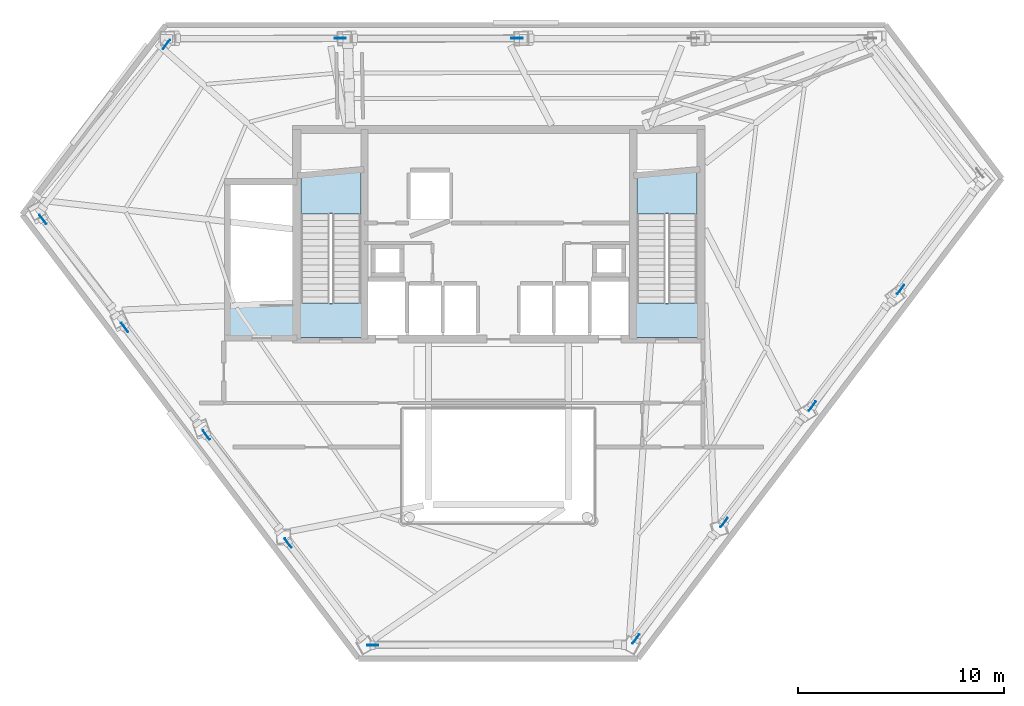
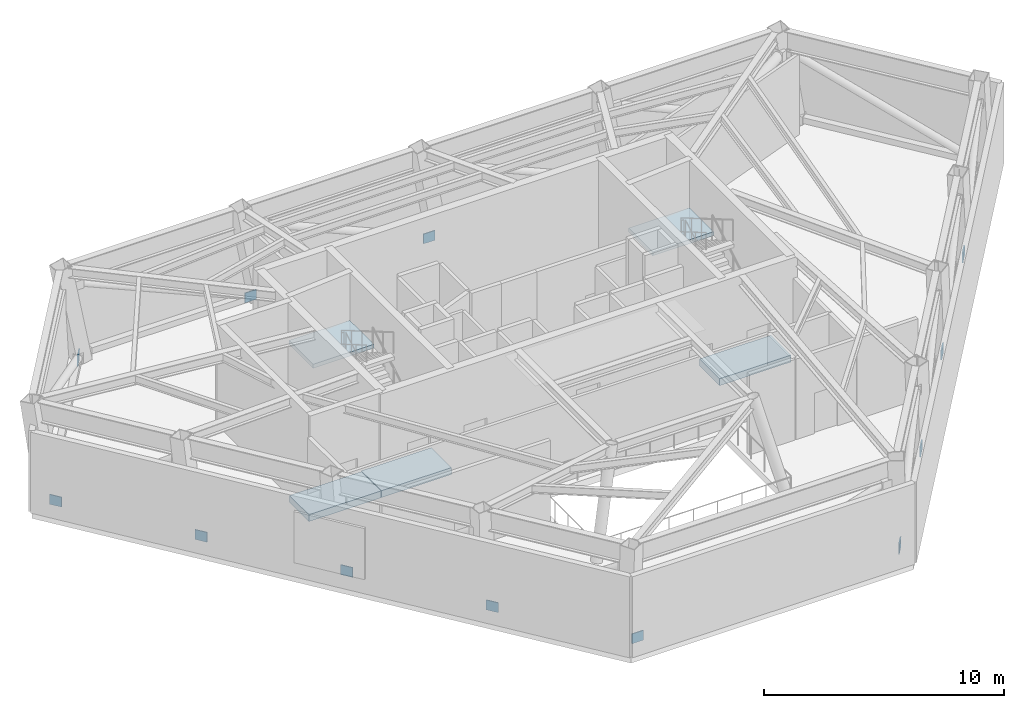
# One storey, part 3 of 10: 12 plates, 5 slabs, 2 elements without a shape of their own.
"""IFC4 building model written with IfcOpenShell, lengths in metres."""

from ifc_helpers import new_model, si_unit, direction, frame, origin, origin_2d, place, context, subcontext, project, spatial, polyline, rectangle, outline, extrude, material, layer, layer_set, type_object, element, aggregate, save


model = new_model("IFC4")

# Units and contexts
model_context = context("Model", 3, precision=1e-05, world=origin(), true_north=direction((0.0, 1.0)))
body_context = subcontext(model_context, "Body", "Model", "MODEL_VIEW")
ifc_project = project(units=[si_unit("LENGTHUNIT", "METRE"), si_unit("AREAUNIT", "SQUARE_METRE"), si_unit("VOLUMEUNIT", "CUBIC_METRE"), si_unit("PLANEANGLEUNIT", "RADIAN"), si_unit("MASSUNIT", "GRAM", prefix="KILO")], contexts=[model_context])

# Site, building, storey
site_placement = place(None, origin())
site = spatial("IfcSite", under=ifc_project, at=site_placement, CompositionType="ELEMENT")
building_placement = place(site_placement, origin())
building = spatial("IfcBuilding", under=site, at=building_placement, Name="Zarrinselat Tower", CompositionType="ELEMENT")
storey_placement = place(building_placement, frame((0.0, 0.0, 194.47998046875)))
storey = spatial("IfcBuildingStorey", under=building, at=storey_placement, Name="L48", CompositionType="ELEMENT", Elevation=194.47998046875)

# Plates
ifc_material_1 = material(Name="Steel S460M", Category="steel")
ifc_layer_1 = layer(ifc_material_1, 0.0400390625)
ifc_layer_set_1 = layer_set([ifc_layer_1], Name="Steel S460M")
plate_type = type_object("IfcPlateType", Name="PLT-GUSSET-40", PredefinedType="USERDEFINED", material=ifc_layer_set_1)
for number, where, z_axis, x_axis, name in (
    (1, (39.304931640625, 47.875244140625, 0.10009765625), (0.0, 0.0, 1.0), (-1.0, 0.0, 0.0), "L48 Belt Truss Node Gusset Plate 3"),
    (2, (30.712890625, 47.875244140625, 0.10009765625), (0.0, 0.0, 1.0), (-1.0, 0.0, 0.0), "L48 Belt Truss Node Gusset Plate 4"),
    (3, (22.263916015625, 47.586669921875, 0.10009765625), (0.0, 0.0, 1.0), (-0.603854284712, -0.797094726388, 0.0), "L48 Belt Truss Node Gusset Plate 5"),
    (4, (16.2509765625, 39.072509765625, 0.10009765625), (0.0, 0.0, 1.0), (0.603853584691, -0.797095256701, 0.0), "L48 Belt Truss Node Gusset Plate 6"),
    (5, (20.2265625, 33.82470703125, 0.10009765625), (0.0, 0.0, 1.0), (0.603853584691, -0.797095256701, 0.0), "L48 Belt Truss Node Gusset Plate 7"),
    (6, (24.2021484375, 28.576904296875, 0.10009765625), (0.0, 0.0, 1.0), (0.603863256698, -0.797087929409, 0.0), "L48 Belt Truss Node Gusset Plate 8"),
    (7, (28.177734375, 23.329345703125, 0.10009765625), (0.0, 0.0, 1.0), (0.603853584691, -0.797095256701, 0.0), "L48 Belt Truss Node Gusset Plate 9"),
    (8, (32.296630859375, 18.3701171875, 0.10009765625), (0.0, 0.0, 1.0), (1.0, 0.0, 0.0), "L48 Belt Truss Node Gusset Plate 10"),
    (9, (45.083984375, 18.65869140625, 0.10009765625), (0.0, 0.0, 1.0), (0.603856335801, 0.797093172542, 0.0), "L48 Belt Truss Node Gusset Plate 11"),
    (10, (49.376220703125, 24.324462890625, 0.10009765625), (0.0, 0.0, 1.0), (0.603856335801, 0.797093172542, 0.0), "L48 Belt Truss Node Gusset Plate 12"),
    (11, (53.66845703125, 29.990234375, 0.10009765625), (0.0, 0.0, 1.0), (0.603856335801, 0.797093172542, 0.0), "L48 Belt Truss Node Gusset Plate 13"),
    (12, (57.960693359375, 35.656005859375, 0.10009765625), (0.0, 0.0, 1.0), (0.603856335801, 0.797093172542, 0.0), "L48 Belt Truss Node Gusset Plate 14"),
):
    element("IfcPlate", number, at=place(storey_placement, frame(where, z_axis=z_axis, x_axis=x_axis)), inside=storey, type_object=plate_type, Name=name, ObjectType="GUSSET_PLATE", PredefinedType="USERDEFINED", context=body_context, shape_type="SweptSolid", body=[
        extrude(rectangle(XDim=0.550048828125, YDim=0.0400390625, at=origin_2d()), origin(), (0.0, 0.0, 1.0), 0.5),
    ])

# Slabs
ifc_material_2 = material(Name="Concrete C50/60", Category="concrete")
ifc_layer_2 = layer(ifc_material_2, 0.35009765625)
ifc_layer_set_2 = layer_set([ifc_layer_2], Name="Concrete C50/60")
slab_type_1 = type_object("IfcSlabType", Name="SLB-FLOOR-350-SL-TR350", PredefinedType="FLOOR", material=ifc_layer_set_2)
slab_1_placement = place(storey_placement, frame((0.0, 0.0, -0.35009765625)))
element("IfcSlab", 13, at=slab_1_placement, inside=storey, type_object=slab_type_1, Name="L48 Stair ST-1-FL1 Structural Floor Landing", PredefinedType="FLOOR", context=body_context, shape_type="SweptSolid", body=[
    extrude(outline(polyline([(31.97998046875, 33.330078125), (31.97998046875, 35.0), (28.610107421875, 35.0), (28.610107421875, 33.330078125), (31.97998046875, 33.330078125)])), origin(), (0.0, 0.0, 1.0), 0.35009765625),
])
slab_2_placement = place(storey_placement, frame((0.0, 0.0, -0.35009765625)))
element("IfcSlab", 14, at=slab_2_placement, inside=storey, type_object=slab_type_1, Name="L48 Stair ST-2-FL1 Structural Floor Landing", PredefinedType="FLOOR", context=body_context, shape_type="SweptSolid", body=[
    extrude(outline(polyline([(48.320068359375, 33.330078125), (48.320068359375, 35.0), (44.8798828125, 35.0), (44.8798828125, 33.330078125), (48.320068359375, 33.330078125)])), origin(), (0.0, 0.0, 1.0), 0.35009765625),
])
slab_3_placement = place(storey_placement, frame((0.0, 0.0, -0.35009765625)))
element("IfcSlab", 15, at=slab_3_placement, inside=storey, type_object=slab_type_1, Name="L48 Stair ST-3-FL1 Structural Floor Landing", PredefinedType="FLOOR", context=body_context, shape_type="SweptSolid", body=[
    extrude(outline(polyline([(28.590087890625, 33.330078125), (28.590087890625, 34.949951171875), (25.1201171875, 34.949951171875), (25.1201171875, 33.330078125), (28.590087890625, 33.330078125)])), origin(), (0.0, 0.0, 1.0), 0.35009765625),
])

# Stair, slab
ifc_material_3 = material(Name="Concrete C40/50", Category="concrete")
stair_type = type_object("IfcStairType", Name="STR-CORE-155", PredefinedType="HALF_TURN_STAIR", material=ifc_material_3)
stair_1_placement = place(storey_placement, origin())
stair_1 = element("IfcStair", 16, at=stair_1_placement, inside=storey, type_object=stair_type, Name="L48 Core Exit Stair 1", PredefinedType="HALF_TURN_STAIR")
ifc_material_4 = material(Name="Concrete C40/50", Category="concrete")
ifc_layer_3 = layer(ifc_material_4, 0.18994140625)
ifc_layer_set_3 = layer_set([ifc_layer_3], Name="Concrete C40/50")
slab_type_2 = type_object("IfcSlabType", Name="SLB-LND-190", PredefinedType="LANDING", material=ifc_layer_set_3)
slab_4_placement = place(storey_placement, frame((0.0, 0.0, 2.52001953125)))
slab_4 = element("IfcSlab", 17, at=slab_4_placement, type_object=slab_type_2, Name="ST-1 landing 1", PredefinedType="LANDING", context=body_context, shape_type="SweptSolid", body=[
    extrude(outline(polyline([(31.719970703125, 39.340087890625), (31.719970703125, 41.35009765625), (28.800048828125, 41.35009765625), (28.800048828125, 39.340087890625), (31.719970703125, 39.340087890625)])), origin(), (0.0, 0.0, 1.0), 0.199951171875),
])
aggregate(stair_1, [slab_4])

stair_2_placement = place(storey_placement, origin())
stair_2 = element("IfcStair", 18, at=stair_2_placement, inside=storey, type_object=stair_type, Name="L48 Core Exit Stair 2", PredefinedType="HALF_TURN_STAIR")
slab_5_placement = place(storey_placement, frame((0.0, 0.0, 2.52001953125)))
slab_5 = element("IfcSlab", 19, at=slab_5_placement, type_object=slab_type_2, Name="ST-2 landing 1", PredefinedType="LANDING", context=body_context, shape_type="SweptSolid", body=[
    extrude(outline(polyline([(48.06005859375, 39.340087890625), (48.06005859375, 41.35009765625), (45.139892578125, 41.35009765625), (45.139892578125, 39.340087890625), (48.06005859375, 39.340087890625)])), origin(), (0.0, 0.0, 1.0), 0.199951171875),
])
aggregate(stair_2, [slab_5])

save(model, "model.ifc")
